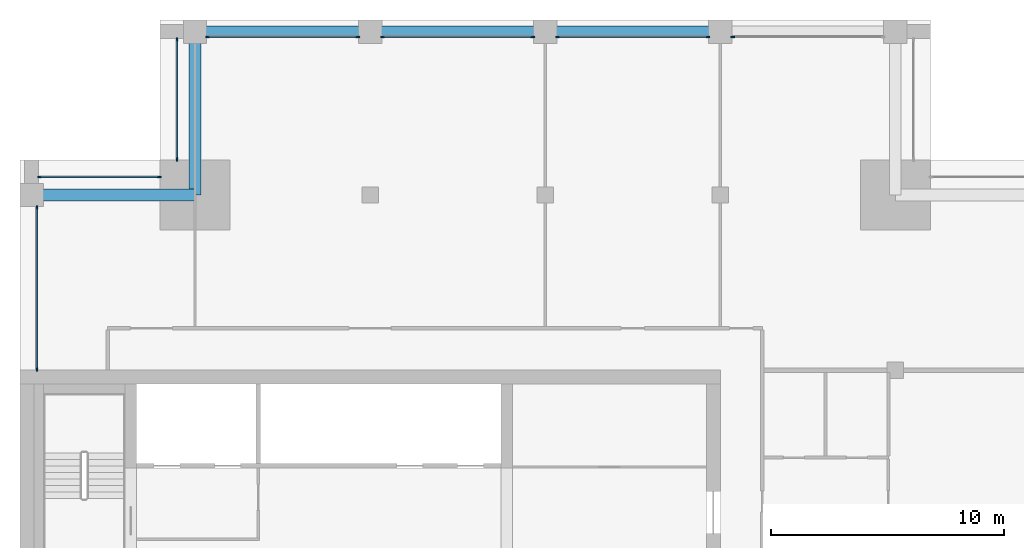
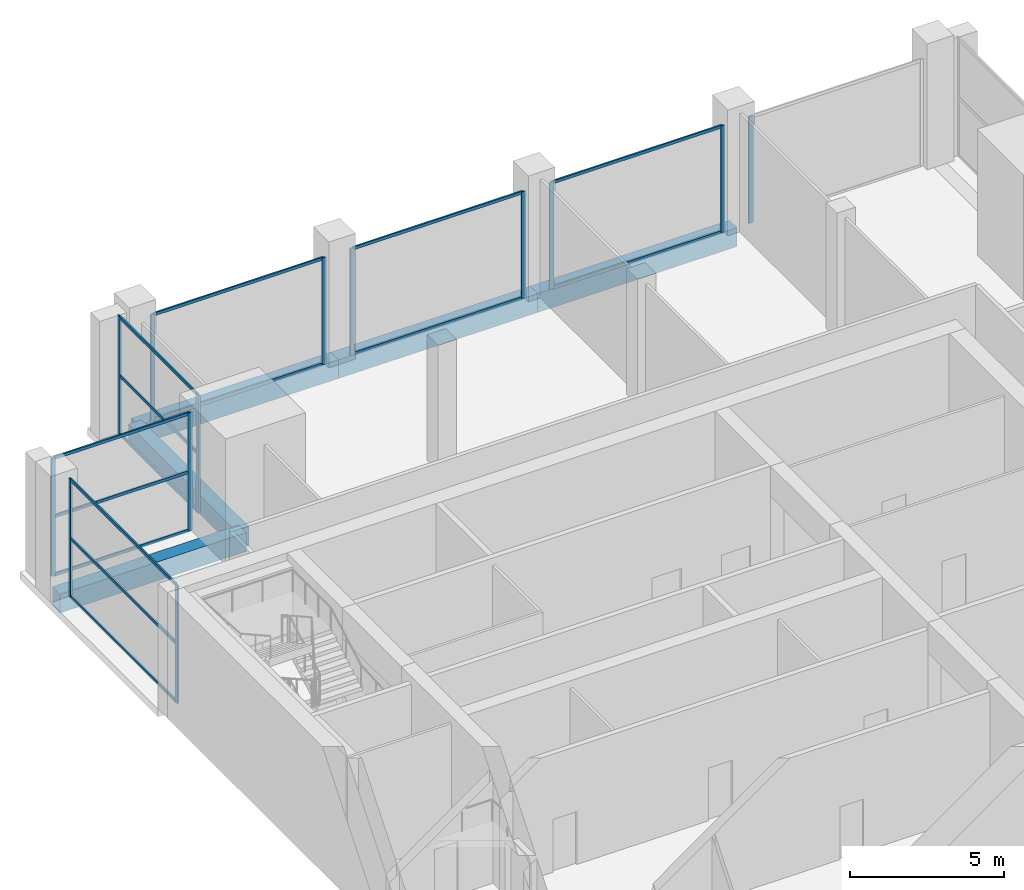
# One storey, part 5 of 15: 28 members, 5 beams, 7 elements without a shape of their own.
"""IFC4 building model written with IfcOpenShell, lengths in metres."""

from ifc_helpers import new_model, si_unit, direction, frame, origin, origin_2d, place, context, subcontext, project, spatial, rectangle, extrude, material, layer, layer_set, material_profile, profile_set, type_object, element, aggregate, save


model = new_model("IFC4")

# Units and contexts
model_context = context("Model", 3, precision=1e-05, world=origin(), true_north=direction((0.0, 1.0)))
body_context = subcontext(model_context, "Body", "Model", "MODEL_VIEW")
ifc_project = project(units=[si_unit("LENGTHUNIT", "METRE"), si_unit("AREAUNIT", "SQUARE_METRE"), si_unit("VOLUMEUNIT", "CUBIC_METRE"), si_unit("PLANEANGLEUNIT", "RADIAN"), si_unit("MASSUNIT", "GRAM", prefix="KILO")], contexts=[model_context])

# Site, building, storey
site_placement = place(None, origin())
site = spatial("IfcSite", under=ifc_project, at=site_placement, CompositionType="ELEMENT")
building_placement = place(site_placement, origin())
building = spatial("IfcBuilding", under=site, at=building_placement, Name="Tamorin Gate", CompositionType="ELEMENT")
storey_placement = place(building_placement, frame((0.0, 0.0, 297.699951171875)))
storey = spatial("IfcBuildingStorey", under=building, at=storey_placement, Name="L74", CompositionType="ELEMENT", Elevation=297.699951171875)

# Curtain wall, member
ifc_material_1 = material(Name="Aluminium mullions and transoms with clear glass", Category="aluminium")
ifc_layer = layer(ifc_material_1, 0.159912109375)
ifc_layer_set = layer_set([ifc_layer], Name="Curtain wall system CW2")
curtain_wall_type = type_object("IfcCurtainWallType", Name="Curtain wall system CW2", PredefinedType="NOTDEFINED", material=ifc_layer_set)
curtain_wall_1_placement = place(storey_placement, origin())
curtain_wall_1 = element("IfcCurtainWall", 1, at=curtain_wall_1_placement, inside=storey, type_object=curtain_wall_type, Name="Curtain wall", PredefinedType="NOTDEFINED")
ifc_material_2 = material(Name="Aluminium", Category="aluminium")
ifc_material_profile_1 = material_profile(ifc_material_2, rectangle(XDim=0.06005859375, YDim=0.159912109375, at=origin_2d()), Name="RECT 60x160")
ifc_profile_set_1 = profile_set([ifc_material_profile_1], Name="Aluminium")
member_type_1 = type_object("IfcMemberType", Name="Aluminium mullion 60x160", PredefinedType="MULLION", material=ifc_profile_set_1)
member_1_placement = place(storey_placement, frame((60.530029296875, 96.780029296875, 0.0), z_axis=(0.0, 0.0, 1.0), x_axis=(0.0, -1.0, 0.0)))
member_1 = element("IfcMember", 2, at=member_1_placement, type_object=member_type_1, Name="CW2 mullion 2", PredefinedType="MULLION", context=body_context, shape_type="SweptSolid", body=[
    extrude(rectangle(XDim=0.06005859375, YDim=0.159912109375, at=origin_2d()), origin(), (0.0, 0.0, 1.0), 4.25),
])
aggregate(curtain_wall_1, [member_1])

# Curtain wall, members
curtain_wall_2_placement = place(storey_placement, origin())
curtain_wall_2 = element("IfcCurtainWall", 3, at=curtain_wall_2_placement, inside=storey, type_object=curtain_wall_type, Name="Curtain wall", PredefinedType="NOTDEFINED")
member_2_placement = place(storey_placement, frame((59.469970703125, 96.780029296875, 0.0), z_axis=(0.0, 0.0, 1.0), x_axis=(0.0, -1.0, 0.0)))
member_2 = element("IfcMember", 4, at=member_2_placement, type_object=member_type_1, Name="CW2 mullion 1", PredefinedType="MULLION", context=body_context, shape_type="SweptSolid", body=[
    extrude(rectangle(XDim=0.06005859375, YDim=0.159912109375, at=origin_2d()), origin(), (0.0, 0.0, 1.0), 4.25),
])
member_3_placement = place(storey_placement, frame((53.030029296875, 96.780029296875, 0.0), z_axis=(0.0, 0.0, 1.0), x_axis=(0.0, -1.0, 0.0)))
member_3 = element("IfcMember", 5, at=member_3_placement, type_object=member_type_1, Name="CW2 mullion 2", PredefinedType="MULLION", context=body_context, shape_type="SweptSolid", body=[
    extrude(rectangle(XDim=0.06005859375, YDim=0.159912109375, at=origin_2d()), origin(), (0.0, 0.0, 1.0), 4.25),
])

curtain_wall_3_placement = place(storey_placement, origin())
curtain_wall_3 = element("IfcCurtainWall", 6, at=curtain_wall_3_placement, inside=storey, type_object=curtain_wall_type, Name="Curtain wall", PredefinedType="NOTDEFINED")
member_4_placement = place(storey_placement, frame((51.969970703125, 96.780029296875, 0.0), z_axis=(0.0, 0.0, 1.0), x_axis=(0.0, -1.0, 0.0)))
member_4 = element("IfcMember", 7, at=member_4_placement, type_object=member_type_1, Name="CW2 mullion 1", PredefinedType="MULLION", context=body_context, shape_type="SweptSolid", body=[
    extrude(rectangle(XDim=0.06005859375, YDim=0.159912109375, at=origin_2d()), origin(), (0.0, 0.0, 1.0), 4.25),
])
member_5_placement = place(storey_placement, frame((45.530029296875, 96.780029296875, 0.0), z_axis=(0.0, 0.0, 1.0), x_axis=(0.0, -1.0, 0.0)))
member_5 = element("IfcMember", 8, at=member_5_placement, type_object=member_type_1, Name="CW2 mullion 2", PredefinedType="MULLION", context=body_context, shape_type="SweptSolid", body=[
    extrude(rectangle(XDim=0.06005859375, YDim=0.159912109375, at=origin_2d()), origin(), (0.0, 0.0, 1.0), 4.25),
])

curtain_wall_4_placement = place(storey_placement, origin())
curtain_wall_4 = element("IfcCurtainWall", 9, at=curtain_wall_4_placement, inside=storey, type_object=curtain_wall_type, Name="Curtain wall", PredefinedType="NOTDEFINED")
member_6_placement = place(storey_placement, frame((44.469970703125, 96.780029296875, 0.0), z_axis=(0.0, 0.0, 1.0), x_axis=(0.0, -1.0, 0.0)))
member_6 = element("IfcMember", 10, at=member_6_placement, type_object=member_type_1, Name="CW2 mullion 1", PredefinedType="MULLION", context=body_context, shape_type="SweptSolid", body=[
    extrude(rectangle(XDim=0.06005859375, YDim=0.159912109375, at=origin_2d()), origin(), (0.0, 0.0, 1.0), 4.25),
])
member_7_placement = place(storey_placement, frame((38.030029296875, 96.780029296875, 0.0), z_axis=(0.0, 0.0, 1.0), x_axis=(0.0, -1.0, 0.0)))
member_7 = element("IfcMember", 11, at=member_7_placement, type_object=member_type_1, Name="CW2 mullion 2", PredefinedType="MULLION", context=body_context, shape_type="SweptSolid", body=[
    extrude(rectangle(XDim=0.06005859375, YDim=0.159912109375, at=origin_2d()), origin(), (0.0, 0.0, 1.0), 4.25),
])

curtain_wall_5_placement = place(storey_placement, origin())
curtain_wall_5 = element("IfcCurtainWall", 12, at=curtain_wall_5_placement, inside=storey, type_object=curtain_wall_type, Name="Curtain wall", PredefinedType="NOTDEFINED")
member_8_placement = place(storey_placement, frame((36.719970703125, 96.669921875, 0.0), z_axis=(0.0, 0.0, 1.0), x_axis=(1.0, 0.0, 0.0)))
member_8 = element("IfcMember", 13, at=member_8_placement, type_object=member_type_1, Name="CW2 mullion 1", PredefinedType="MULLION", context=body_context, shape_type="SweptSolid", body=[
    extrude(rectangle(XDim=0.06005859375, YDim=0.159912109375, at=origin_2d()), origin(), (0.0, 0.0, 1.0), 4.699951171875),
])
member_9_placement = place(storey_placement, frame((36.719970703125, 91.530029296875, 0.0), z_axis=(0.0, 0.0, 1.0), x_axis=(1.0, 0.0, 0.0)))
member_9 = element("IfcMember", 14, at=member_9_placement, type_object=member_type_1, Name="CW2 mullion 2", PredefinedType="MULLION", context=body_context, shape_type="SweptSolid", body=[
    extrude(rectangle(XDim=0.06005859375, YDim=0.159912109375, at=origin_2d()), origin(), (0.0, 0.0, 1.0), 4.699951171875),
])

curtain_wall_6_placement = place(storey_placement, origin())
curtain_wall_6 = element("IfcCurtainWall", 15, at=curtain_wall_6_placement, inside=storey, type_object=curtain_wall_type, Name="Curtain wall", PredefinedType="NOTDEFINED")
member_10_placement = place(storey_placement, frame((35.969970703125, 90.780029296875, 0.0), z_axis=(0.0, 0.0, 1.0), x_axis=(0.0, -1.0, 0.0)))
member_10 = element("IfcMember", 16, at=member_10_placement, type_object=member_type_1, Name="CW2 mullion 1", PredefinedType="MULLION", context=body_context, shape_type="SweptSolid", body=[
    extrude(rectangle(XDim=0.06005859375, YDim=0.159912109375, at=origin_2d()), origin(), (0.0, 0.0, 1.0), 4.699951171875),
])
member_11_placement = place(storey_placement, frame((30.830078125, 90.780029296875, 0.0), z_axis=(0.0, 0.0, 1.0), x_axis=(0.0, -1.0, 0.0)))
member_11 = element("IfcMember", 17, at=member_11_placement, type_object=member_type_1, Name="CW2 mullion 2", PredefinedType="MULLION", context=body_context, shape_type="SweptSolid", body=[
    extrude(rectangle(XDim=0.06005859375, YDim=0.159912109375, at=origin_2d()), origin(), (0.0, 0.0, 1.0), 4.699951171875),
])

curtain_wall_7_placement = place(storey_placement, origin())
curtain_wall_7 = element("IfcCurtainWall", 18, at=curtain_wall_7_placement, inside=storey, type_object=curtain_wall_type, Name="Curtain wall", PredefinedType="NOTDEFINED")
member_12_placement = place(storey_placement, frame((30.719970703125, 89.469970703125, 0.0), z_axis=(0.0, 0.0, 1.0), x_axis=(1.0, 0.0, 0.0)))
member_12 = element("IfcMember", 19, at=member_12_placement, type_object=member_type_1, Name="CW2 mullion 1", PredefinedType="MULLION", context=body_context, shape_type="SweptSolid", body=[
    extrude(rectangle(XDim=0.06005859375, YDim=0.159912109375, at=origin_2d()), origin(), (0.0, 0.0, 1.0), 4.699951171875),
])
member_13_placement = place(storey_placement, frame((30.719970703125, 82.530029296875, 0.0), z_axis=(0.0, 0.0, 1.0), x_axis=(1.0, 0.0, 0.0)))
member_13 = element("IfcMember", 20, at=member_13_placement, type_object=member_type_1, Name="CW2 mullion 2", PredefinedType="MULLION", context=body_context, shape_type="SweptSolid", body=[
    extrude(rectangle(XDim=0.06005859375, YDim=0.159912109375, at=origin_2d()), origin(), (0.0, 0.0, 1.0), 4.699951171875),
])

# Member
ifc_material_profile_2 = material_profile(ifc_material_2, rectangle(XDim=0.06005859375, YDim=0.1201171875, at=origin_2d()), Name="RECT 60x120")
ifc_profile_set_2 = profile_set([ifc_material_profile_2], Name="Aluminium")
member_type_2 = type_object("IfcMemberType", Name="Aluminium transom 60x120", PredefinedType="USERDEFINED", material=ifc_profile_set_2)
member_14_placement = place(storey_placement, frame((59.43994140625, 96.780029296875, 0.030029296875), z_axis=(-1.0, 0.0, 0.0), x_axis=(0.0, -1.0, 0.0)))
member_14 = element("IfcMember", 21, at=member_14_placement, type_object=member_type_2, Name="CW2 transom 1.1", ObjectType="TRANSOM", PredefinedType="USERDEFINED", context=body_context, shape_type="SweptSolid", body=[
    extrude(rectangle(XDim=0.06005859375, YDim=0.1201171875, at=origin_2d()), origin(), (0.0, 0.0, 1.0), 6.3798828125),
])

member_15_placement = place(storey_placement, frame((59.43994140625, 96.780029296875, 4.219970703125), z_axis=(-1.0, 0.0, 0.0), x_axis=(0.0, -1.0, 0.0)))
member_15 = element("IfcMember", 22, at=member_15_placement, type_object=member_type_2, Name="CW2 transom 1.2", ObjectType="TRANSOM", PredefinedType="USERDEFINED", context=body_context, shape_type="SweptSolid", body=[
    extrude(rectangle(XDim=0.06005859375, YDim=0.1201171875, at=origin_2d()), origin(), (0.0, 0.0, 1.0), 6.3798828125),
])

aggregate(curtain_wall_2, [member_2, member_3, member_14, member_15])

member_16_placement = place(storey_placement, frame((51.93994140625, 96.780029296875, 0.030029296875), z_axis=(-1.0, 0.0, 0.0), x_axis=(0.0, -1.0, 0.0)))
member_16 = element("IfcMember", 23, at=member_16_placement, type_object=member_type_2, Name="CW2 transom 1.1", ObjectType="TRANSOM", PredefinedType="USERDEFINED", context=body_context, shape_type="SweptSolid", body=[
    extrude(rectangle(XDim=0.06005859375, YDim=0.1201171875, at=origin_2d()), origin(), (0.0, 0.0, 1.0), 6.3798828125),
])

member_17_placement = place(storey_placement, frame((51.93994140625, 96.780029296875, 4.219970703125), z_axis=(-1.0, 0.0, 0.0), x_axis=(0.0, -1.0, 0.0)))
member_17 = element("IfcMember", 24, at=member_17_placement, type_object=member_type_2, Name="CW2 transom 1.2", ObjectType="TRANSOM", PredefinedType="USERDEFINED", context=body_context, shape_type="SweptSolid", body=[
    extrude(rectangle(XDim=0.06005859375, YDim=0.1201171875, at=origin_2d()), origin(), (0.0, 0.0, 1.0), 6.3798828125),
])

aggregate(curtain_wall_3, [member_4, member_5, member_16, member_17])

member_18_placement = place(storey_placement, frame((44.43994140625, 96.780029296875, 0.030029296875), z_axis=(-1.0, 0.0, 0.0), x_axis=(0.0, -1.0, 0.0)))
member_18 = element("IfcMember", 25, at=member_18_placement, type_object=member_type_2, Name="CW2 transom 1.1", ObjectType="TRANSOM", PredefinedType="USERDEFINED", context=body_context, shape_type="SweptSolid", body=[
    extrude(rectangle(XDim=0.06005859375, YDim=0.1201171875, at=origin_2d()), origin(), (0.0, 0.0, 1.0), 6.3798828125),
])

member_19_placement = place(storey_placement, frame((44.43994140625, 96.780029296875, 4.219970703125), z_axis=(-1.0, 0.0, 0.0), x_axis=(0.0, -1.0, 0.0)))
member_19 = element("IfcMember", 26, at=member_19_placement, type_object=member_type_2, Name="CW2 transom 1.2", ObjectType="TRANSOM", PredefinedType="USERDEFINED", context=body_context, shape_type="SweptSolid", body=[
    extrude(rectangle(XDim=0.06005859375, YDim=0.1201171875, at=origin_2d()), origin(), (0.0, 0.0, 1.0), 6.3798828125),
])

aggregate(curtain_wall_4, [member_6, member_7, member_18, member_19])

member_20_placement = place(storey_placement, frame((36.719970703125, 96.639892578125, 0.030029296875), z_axis=(0.0, -1.0, 0.0), x_axis=(1.0, 0.0, 0.0)))
member_20 = element("IfcMember", 27, at=member_20_placement, type_object=member_type_2, Name="CW2 transom 1.1", ObjectType="TRANSOM", PredefinedType="USERDEFINED", context=body_context, shape_type="SweptSolid", body=[
    extrude(rectangle(XDim=0.06005859375, YDim=0.1201171875, at=origin_2d()), origin(), (0.0, 0.0, 1.0), 5.079833984375),
])

member_21_placement = place(storey_placement, frame((36.719970703125, 96.639892578125, 2.35009765625), z_axis=(0.0, -1.0, 0.0), x_axis=(1.0, 0.0, 0.0)))
member_21 = element("IfcMember", 28, at=member_21_placement, type_object=member_type_2, Name="CW2 transom 1.2", ObjectType="TRANSOM", PredefinedType="USERDEFINED", context=body_context, shape_type="SweptSolid", body=[
    extrude(rectangle(XDim=0.06005859375, YDim=0.1201171875, at=origin_2d()), origin(), (0.0, 0.0, 1.0), 5.079833984375),
])

member_22_placement = place(storey_placement, frame((36.719970703125, 96.639892578125, 4.670166015625), z_axis=(0.0, -1.0, 0.0), x_axis=(1.0, 0.0, 0.0)))
member_22 = element("IfcMember", 29, at=member_22_placement, type_object=member_type_2, Name="CW2 transom 1.3", ObjectType="TRANSOM", PredefinedType="USERDEFINED", context=body_context, shape_type="SweptSolid", body=[
    extrude(rectangle(XDim=0.06005859375, YDim=0.1201171875, at=origin_2d()), origin(), (0.0, 0.0, 1.0), 5.079833984375),
])

aggregate(curtain_wall_5, [member_8, member_9, member_20, member_21, member_22])

member_23_placement = place(storey_placement, frame((35.93994140625, 90.780029296875, 0.030029296875), z_axis=(-1.0, 0.0, 0.0), x_axis=(0.0, -1.0, 0.0)))
member_23 = element("IfcMember", 30, at=member_23_placement, type_object=member_type_2, Name="CW2 transom 1.1", ObjectType="TRANSOM", PredefinedType="USERDEFINED", context=body_context, shape_type="SweptSolid", body=[
    extrude(rectangle(XDim=0.06005859375, YDim=0.1201171875, at=origin_2d()), origin(), (0.0, 0.0, 1.0), 5.079833984375),
])

member_24_placement = place(storey_placement, frame((35.93994140625, 90.780029296875, 2.35009765625), z_axis=(-1.0, 0.0, 0.0), x_axis=(0.0, -1.0, 0.0)))
member_24 = element("IfcMember", 31, at=member_24_placement, type_object=member_type_2, Name="CW2 transom 1.2", ObjectType="TRANSOM", PredefinedType="USERDEFINED", context=body_context, shape_type="SweptSolid", body=[
    extrude(rectangle(XDim=0.06005859375, YDim=0.1201171875, at=origin_2d()), origin(), (0.0, 0.0, 1.0), 5.079833984375),
])

member_25_placement = place(storey_placement, frame((35.93994140625, 90.780029296875, 4.670166015625), z_axis=(-1.0, 0.0, 0.0), x_axis=(0.0, -1.0, 0.0)))
member_25 = element("IfcMember", 32, at=member_25_placement, type_object=member_type_2, Name="CW2 transom 1.3", ObjectType="TRANSOM", PredefinedType="USERDEFINED", context=body_context, shape_type="SweptSolid", body=[
    extrude(rectangle(XDim=0.06005859375, YDim=0.1201171875, at=origin_2d()), origin(), (0.0, 0.0, 1.0), 5.079833984375),
])

aggregate(curtain_wall_6, [member_10, member_11, member_23, member_24, member_25])

member_26_placement = place(storey_placement, frame((30.719970703125, 89.43994140625, 0.030029296875), z_axis=(0.0, -1.0, 0.0), x_axis=(1.0, 0.0, 0.0)))
member_26 = element("IfcMember", 33, at=member_26_placement, type_object=member_type_2, Name="CW2 transom 1.1", ObjectType="TRANSOM", PredefinedType="USERDEFINED", context=body_context, shape_type="SweptSolid", body=[
    extrude(rectangle(XDim=0.06005859375, YDim=0.1201171875, at=origin_2d()), origin(), (0.0, 0.0, 1.0), 6.8798828125),
])

member_27_placement = place(storey_placement, frame((30.719970703125, 89.43994140625, 2.35009765625), z_axis=(0.0, -1.0, 0.0), x_axis=(1.0, 0.0, 0.0)))
member_27 = element("IfcMember", 34, at=member_27_placement, type_object=member_type_2, Name="CW2 transom 1.2", ObjectType="TRANSOM", PredefinedType="USERDEFINED", context=body_context, shape_type="SweptSolid", body=[
    extrude(rectangle(XDim=0.06005859375, YDim=0.1201171875, at=origin_2d()), origin(), (0.0, 0.0, 1.0), 6.8798828125),
])

member_28_placement = place(storey_placement, frame((30.719970703125, 89.43994140625, 4.670166015625), z_axis=(0.0, -1.0, 0.0), x_axis=(1.0, 0.0, 0.0)))
member_28 = element("IfcMember", 35, at=member_28_placement, type_object=member_type_2, Name="CW2 transom 1.3", ObjectType="TRANSOM", PredefinedType="USERDEFINED", context=body_context, shape_type="SweptSolid", body=[
    extrude(rectangle(XDim=0.06005859375, YDim=0.1201171875, at=origin_2d()), origin(), (0.0, 0.0, 1.0), 6.8798828125),
])

aggregate(curtain_wall_7, [member_12, member_13, member_26, member_27, member_28])

# Beams
ifc_material_3 = material(Name="Concrete C50/60", Category="concrete")
ifc_material_profile_3 = material_profile(ifc_material_3, rectangle(XDim=0.5, YDim=0.75, at=origin_2d()), Name="RC 500x750")
ifc_profile_set_3 = profile_set([ifc_material_profile_3], Name="Concrete C50/60")
beam_type = type_object("IfcBeamType", Name="RC spandrel 500x750 C50/60", PredefinedType="BEAM", material=ifc_profile_set_3)
for number, where, z_axis, x_axis, name in (
    (36, (60.0, 97.0, -0.375), (-1.0, 0.0, 0.0), (0.0, -1.0, 0.0), "Spandrel beam L74"),
    (37, (52.5, 97.0, -0.375), (-1.0, 0.0, 0.0), (0.0, -1.0, 0.0), "Spandrel beam L74"),
    (38, (45.0, 97.0, -0.375), (-1.0, 0.0, 0.0), (0.0, -1.0, 0.0), "Spandrel beam L74"),
):
    element("IfcBeam", number, at=place(storey_placement, frame(where, z_axis=z_axis, x_axis=x_axis)), inside=storey, type_object=beam_type, Name=name, PredefinedType="BEAM", context=body_context, shape_type="SweptSolid", body=[
        extrude(rectangle(XDim=0.5, YDim=0.75, at=origin_2d()), origin(), (0.0, 0.0, 1.0), 7.5),
    ])
for number, where, z_axis, x_axis, name in (
    (39, (37.5, 90.0, -0.375), (-1.0, 0.0, 0.0), (0.0, -1.0, 0.0), "Corner tie beam L74"),
    (40, (37.5, 90.0, -0.375), (0.0, 1.0, 0.0), (-1.0, 0.0, 0.0), "Corner tie beam L74"),
):
    element("IfcBeam", number, at=place(storey_placement, frame(where, z_axis=z_axis, x_axis=x_axis)), inside=storey, type_object=beam_type, Name=name, PredefinedType="BEAM", context=body_context, shape_type="SweptSolid", body=[
        extrude(rectangle(XDim=0.5, YDim=0.75, at=origin_2d()), origin(), (0.0, 0.0, 1.0), 7.0),
    ])

save(model, "model.ifc")
